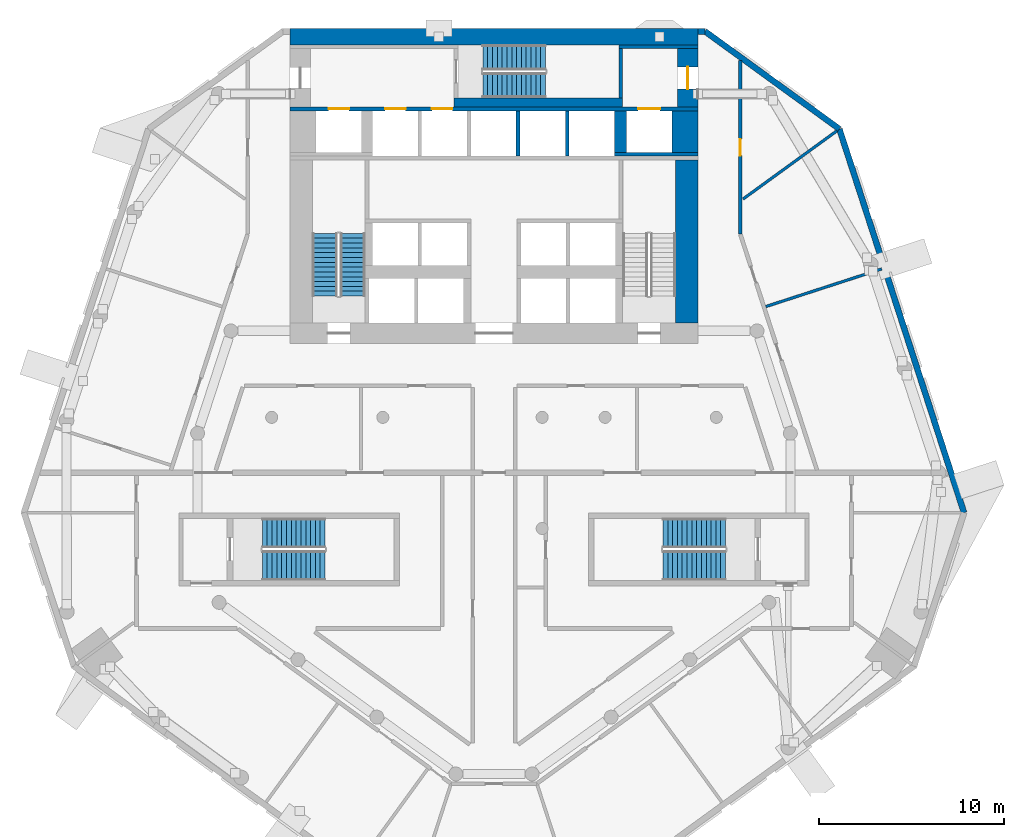
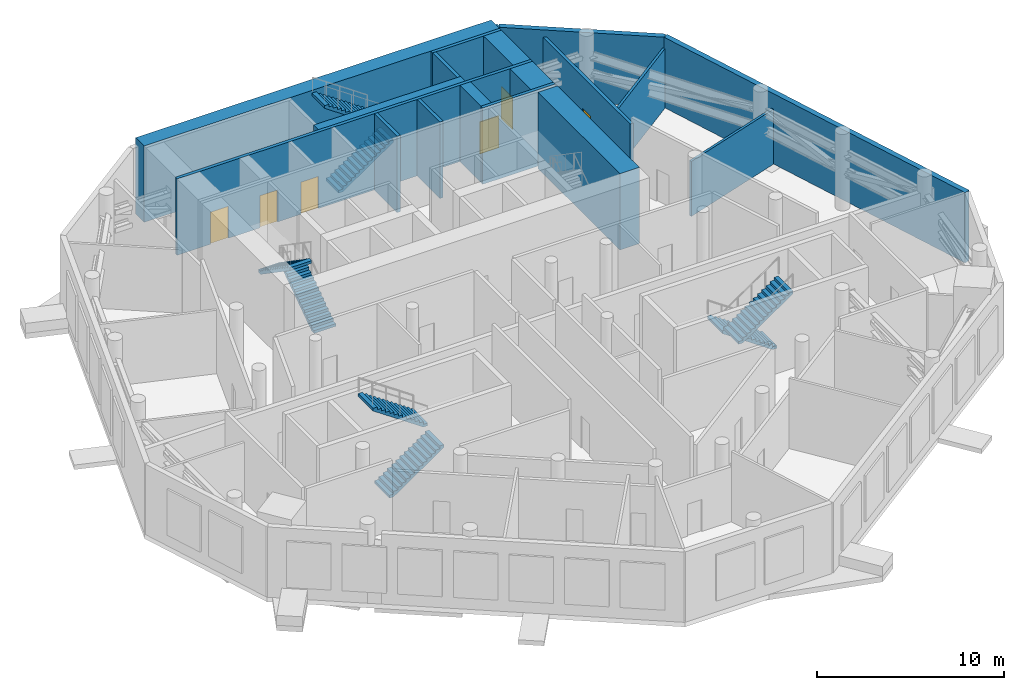
# One storey, part 9 of 15: 18 walls, 8 stair flights, 6 doors, 6 openings, 4 elements without a shape of their own.
"""IFC4 building model written with IfcOpenShell, lengths in metres."""

from ifc_helpers import new_model, si_unit, direction, frame, frame_2d, origin, place, context, subcontext, project, spatial, polyline, rectangle, outline, extrude, material, layer, layer_set, type_object, element, fill, aggregate, save


model = new_model("IFC4")

# Units and contexts
model_context = context("Model", 3, precision=1e-05, world=origin(), true_north=direction((0.0, 1.0)))
body_context = subcontext(model_context, "Body", "Model", "MODEL_VIEW")
ifc_project = project(units=[si_unit("LENGTHUNIT", "METRE"), si_unit("AREAUNIT", "SQUARE_METRE"), si_unit("VOLUMEUNIT", "CUBIC_METRE"), si_unit("PLANEANGLEUNIT", "RADIAN"), si_unit("MASSUNIT", "GRAM", prefix="KILO")], contexts=[model_context])

# Site, building, storey
site_placement = place(None, origin())
site = spatial("IfcSite", under=ifc_project, at=site_placement, CompositionType="ELEMENT")
building_placement = place(site_placement, origin())
building = spatial("IfcBuilding", under=site, at=building_placement, Name="White Candle Pilgrim Tower", CompositionType="ELEMENT")
storey_placement = place(building_placement, frame((0.0, 0.0, 137.60009765625)))
storey = spatial("IfcBuildingStorey", under=building, at=storey_placement, Name="L31", CompositionType="ELEMENT", Elevation=137.60009765625)

# Wall, opening, door
ifc_material_1 = material(Name="Concrete C60/75", Category="concrete")
ifc_layer_1 = layer(ifc_material_1, 1.10009765625)
ifc_layer_set_1 = layer_set([ifc_layer_1], Name="Core wall 1100 mm Concrete C60/75")
wall_type_1 = type_object("IfcWallType", Name="Core wall 1100 mm Concrete C60/75", PredefinedType="SHEAR", material=ifc_layer_set_1)
wall_1_placement = place(storey_placement, frame((80.449951171875, 83.75, 0.0), z_axis=(0.0, 0.0, 1.0), x_axis=(0.0, 1.0, 0.0)))
wall_1 = element("IfcWall", 1, at=wall_1_placement, inside=storey, type_object=wall_type_1, Name="WL-L31-C46", PredefinedType="SHEAR", context=body_context, shape_type="SweptSolid", body=[
    extrude(rectangle(XDim=3.14990234375, YDim=1.10009765625, at=frame_2d((1.574951171875, 0.0))), origin(), (0.0, 0.0, 1.0), 5.0),
])
opening_1_placement = place(wall_1_placement, frame((0.97509765625, 0.0, 0.0)))
opening_1 = element("IfcOpeningElement", 2, at=opening_1_placement, cuts=wall_1, Name="Opening L31-006", PredefinedType="OPENING", context=body_context, shape_type="SweptSolid", body=[
    extrude(rectangle(XDim=1.199951171875, YDim=2.10009765625, at=frame_2d((0.60009765625, 1.050048828125))), frame((0.0, 0.56005859375, 0.0), z_axis=(0.0, -1.0, 0.0), x_axis=(1.0, 0.0, 0.0)), (0.0, 0.0, 1.0), 1.1201171875),
])
ifc_material_2 = material(Name="Steel door leaf", Category="steel")
door_type_1 = type_object("IfcDoorType", Name="Fire door 1200 x 2100 EI 30", OperationType="NOTDEFINED", PredefinedType="DOOR", material=ifc_material_2)
door_1_placement = place(opening_1_placement, origin())
door_1 = element("IfcDoor", 3, at=door_1_placement, inside=storey, type_object=door_type_1, Name="Door L31-006", OperationType="SINGLE_SWING_RIGHT", OverallHeight=2.10009765625, OverallWidth=1.199951171875, PredefinedType="DOOR", context=body_context, shape_type="SweptSolid", body=[
    extrude(rectangle(XDim=1.199951171875, YDim=2.10009765625, at=frame_2d((0.60009765625, 1.050048828125))), frame((0.0, 0.02490234375, 0.0), z_axis=(0.0, -1.0, 0.0), x_axis=(1.0, 0.0, 0.0)), (0.0, 0.0, 1.0), 0.050048828125),
])
fill(opening_1, door_1)

# Walls
ifc_layer_2 = layer(ifc_material_1, 1.39990234375)
ifc_layer_set_2 = layer_set([ifc_layer_2], Name="Core wall 1400 mm Concrete C60/75")
wall_type_2 = type_object("IfcWallType", Name="Core wall 1400 mm Concrete C60/75", PredefinedType="SHEAR", material=ifc_layer_set_2)
wall_2_placement = place(storey_placement, frame((80.300048828125, 81.300048828125, 0.0), z_axis=(0.0, 0.0, 1.0), x_axis=(0.0, 1.0, 0.0)))
element("IfcWall", 4, at=wall_2_placement, inside=storey, type_object=wall_type_2, Name="WL-L31-C42", PredefinedType="SHEAR", context=body_context, shape_type="SweptSolid", body=[
    extrude(rectangle(XDim=2.25, YDim=1.39990234375, at=frame_2d((1.125, 0.0))), origin(), (0.0, 0.0, 1.0), 5.0),
])
ifc_layer_3 = layer(ifc_material_1, 0.199951171875)
ifc_layer_set_3 = layer_set([ifc_layer_3], Name="Core wall 200 mm Concrete C60/75")
wall_type_3 = type_object("IfcWallType", Name="Core wall 200 mm Concrete C60/75", PredefinedType="SHEAR", material=ifc_layer_set_3)
wall_3_placement = place(storey_placement, frame((76.5, 81.199951171875, 0.0), z_axis=(0.0, 0.0, 1.0), x_axis=(1.0, 0.0, 0.0)))
element("IfcWall", 5, at=wall_3_placement, inside=storey, type_object=wall_type_3, Name="WL-L31-C38", PredefinedType="SHEAR", context=body_context, shape_type="SweptSolid", body=[
    extrude(rectangle(XDim=4.5, YDim=0.199951171875, at=frame_2d((2.25, 0.0))), origin(), (0.0, 0.0, 1.0), 5.0),
])

# Wall, openings, doors
wall_4_placement = place(storey_placement, frame((59.0, 83.64990234375, 0.0), z_axis=(0.0, 0.0, 1.0), x_axis=(1.0, 0.0, 0.0)))
wall_4 = element("IfcWall", 6, at=wall_4_placement, inside=storey, type_object=wall_type_3, Name="WL-L31-C43", PredefinedType="SHEAR", context=body_context, shape_type="SweptSolid", body=[
    extrude(rectangle(XDim=22.0, YDim=0.199951171875, at=frame_2d((11.0, 0.0))), origin(), (0.0, 0.0, 1.0), 5.0),
])
opening_2_placement = place(wall_4_placement, frame((5.125, 0.0, 0.0)))
opening_2 = element("IfcOpeningElement", 7, at=opening_2_placement, cuts=wall_4, Name="Opening L31-011", PredefinedType="OPENING", context=body_context, shape_type="SweptSolid", body=[
    extrude(rectangle(XDim=1.10009765625, YDim=2.10009765625, at=frame_2d((0.550048828125, 1.050048828125))), frame((0.0, 0.10986328125, 0.0), z_axis=(0.0, -1.0, 0.0), x_axis=(1.0, 0.0, 0.0)), (0.0, 0.0, 1.0), 0.219970703125),
])
opening_3_placement = place(wall_4_placement, frame((7.64990234375, 0.0, 0.0)))
opening_3 = element("IfcOpeningElement", 8, at=opening_3_placement, cuts=wall_4, Name="Opening L31-012", PredefinedType="OPENING", context=body_context, shape_type="SweptSolid", body=[
    extrude(rectangle(XDim=1.10009765625, YDim=2.10009765625, at=frame_2d((0.550048828125, 1.050048828125))), frame((0.0, 0.10986328125, 0.0), z_axis=(0.0, -1.0, 0.0), x_axis=(1.0, 0.0, 0.0)), (0.0, 0.0, 1.0), 0.219970703125),
])
opening_4_placement = place(wall_4_placement, frame((18.77490234375, 0.0, 0.0)))
opening_4 = element("IfcOpeningElement", 9, at=opening_4_placement, cuts=wall_4, Name="Opening L31-013", PredefinedType="OPENING", context=body_context, shape_type="SweptSolid", body=[
    extrude(rectangle(XDim=1.199951171875, YDim=2.10009765625, at=frame_2d((0.60009765625, 1.050048828125))), frame((0.0, 0.10986328125, 0.0), z_axis=(0.0, -1.0, 0.0), x_axis=(1.0, 0.0, 0.0)), (0.0, 0.0, 1.0), 0.219970703125),
])
opening_5_placement = place(wall_4_placement, frame((2.074951171875, 0.0, 0.0)))
opening_5 = element("IfcOpeningElement", 10, at=opening_5_placement, cuts=wall_4, Name="Opening L31-014", PredefinedType="OPENING", context=body_context, shape_type="SweptSolid", body=[
    extrude(rectangle(XDim=1.10009765625, YDim=2.10009765625, at=frame_2d((0.550048828125, 1.050048828125))), frame((0.0, 0.10986328125, 0.0), z_axis=(0.0, -1.0, 0.0), x_axis=(1.0, 0.0, 0.0)), (0.0, 0.0, 1.0), 0.219970703125),
])
ifc_material_3 = material(Name="Stainless steel", Category="steel")
door_type_2 = type_object("IfcDoorType", Name="Lift landing door 1100 x 2100 EI 60", OperationType="DOUBLE_DOOR_SLIDING", PredefinedType="DOOR", material=ifc_material_3)
door_2_placement = place(opening_2_placement, origin())
door_2 = element("IfcDoor", 11, at=door_2_placement, inside=storey, type_object=door_type_2, Name="Door L31-011", OperationType="DOUBLE_DOOR_SLIDING", OverallHeight=2.10009765625, OverallWidth=1.10009765625, PredefinedType="DOOR", context=body_context, shape_type="SweptSolid", body=[
    extrude(rectangle(XDim=1.10009765625, YDim=2.10009765625, at=frame_2d((0.550048828125, 1.050048828125))), frame((0.0, 0.02490234375, 0.0), z_axis=(0.0, -1.0, 0.0), x_axis=(1.0, 0.0, 0.0)), (0.0, 0.0, 1.0), 0.050048828125),
])
fill(opening_2, door_2)
door_3_placement = place(opening_3_placement, origin())
door_3 = element("IfcDoor", 12, at=door_3_placement, inside=storey, type_object=door_type_2, Name="Door L31-012", OperationType="DOUBLE_DOOR_SLIDING", OverallHeight=2.10009765625, OverallWidth=1.10009765625, PredefinedType="DOOR", context=body_context, shape_type="SweptSolid", body=[
    extrude(rectangle(XDim=1.10009765625, YDim=2.10009765625, at=frame_2d((0.550048828125, 1.050048828125))), frame((0.0, 0.02490234375, 0.0), z_axis=(0.0, -1.0, 0.0), x_axis=(1.0, 0.0, 0.0)), (0.0, 0.0, 1.0), 0.050048828125),
])
fill(opening_3, door_3)
door_4_placement = place(opening_5_placement, origin())
door_4 = element("IfcDoor", 13, at=door_4_placement, inside=storey, type_object=door_type_2, Name="Door L31-014", OperationType="DOUBLE_DOOR_SLIDING", OverallHeight=2.10009765625, OverallWidth=1.10009765625, PredefinedType="DOOR", context=body_context, shape_type="SweptSolid", body=[
    extrude(rectangle(XDim=1.10009765625, YDim=2.10009765625, at=frame_2d((0.550048828125, 1.050048828125))), frame((0.0, 0.02490234375, 0.0), z_axis=(0.0, -1.0, 0.0), x_axis=(1.0, 0.0, 0.0)), (0.0, 0.0, 1.0), 0.050048828125),
])
fill(opening_5, door_4)
door_type_3 = type_object("IfcDoorType", Name="Lift landing door 1200 x 2100 E 60", OperationType="DOUBLE_DOOR_SLIDING", PredefinedType="DOOR", material=ifc_material_3)
door_5_placement = place(opening_4_placement, origin())
door_5 = element("IfcDoor", 14, at=door_5_placement, inside=storey, type_object=door_type_3, Name="Door L31-013", OperationType="DOUBLE_DOOR_SLIDING", OverallHeight=2.10009765625, OverallWidth=1.199951171875, PredefinedType="DOOR", context=body_context, shape_type="SweptSolid", body=[
    extrude(rectangle(XDim=1.199951171875, YDim=2.10009765625, at=frame_2d((0.60009765625, 1.050048828125))), frame((0.0, 0.02490234375, 0.0), z_axis=(0.0, -1.0, 0.0), x_axis=(1.0, 0.0, 0.0)), (0.0, 0.0, 1.0), 0.050048828125),
])
fill(opening_4, door_5)

# Wall, opening, door
ifc_material_4 = material(Name="Gypsum board on steel studs", Category="steel")
ifc_layer_4 = layer(ifc_material_4, 0.199951171875)
ifc_layer_set_4 = layer_set([ifc_layer_4], Name="Corridor wall 200 mm EI 45")
wall_type_4 = type_object("IfcWallType", Name="Corridor wall 200 mm EI 45", PredefinedType="PARTITIONING", material=ifc_layer_set_4)
wall_5_placement = place(storey_placement, frame((83.300048828125, 86.2509765625, 0.0), z_axis=(0.0, 0.0, 1.0), x_axis=(0.0, -1.0, 0.0)))
wall_5 = element("IfcWall", 15, at=wall_5_placement, inside=storey, type_object=wall_type_4, Name="WL-L31-P004", PredefinedType="PARTITIONING", context=body_context, shape_type="SweptSolid", body=[
    extrude(rectangle(XDim=9.3515625, YDim=0.199951171875, at=frame_2d((4.67578125, 0.0))), origin(), (0.0, 0.0, 1.0), 4.14990234375),
])
opening_6_placement = place(wall_5_placement, frame((4.225830078125, 0.0, 0.0)))
opening_6 = element("IfcOpeningElement", 16, at=opening_6_placement, cuts=wall_5, Name="Opening L31-124", PredefinedType="OPENING", context=body_context, shape_type="SweptSolid", body=[
    extrude(rectangle(XDim=0.89990234375, YDim=2.10009765625, at=frame_2d((0.449951171875, 1.050048828125))), frame((0.0, 0.10986328125, 0.0), z_axis=(0.0, -1.0, 0.0), x_axis=(1.0, 0.0, 0.0)), (0.0, 0.0, 1.0), 0.219970703125),
])
door_type_4 = type_object("IfcDoorType", Name="Fire door 900 x 2100 EI 30", OperationType="NOTDEFINED", PredefinedType="DOOR", material=ifc_material_2)
door_6_placement = place(opening_6_placement, origin())
door_6 = element("IfcDoor", 17, at=door_6_placement, inside=storey, type_object=door_type_4, Name="Door L31-124", OperationType="SINGLE_SWING_RIGHT", OverallHeight=2.10009765625, OverallWidth=0.89990234375, PredefinedType="DOOR", context=body_context, shape_type="SweptSolid", body=[
    extrude(rectangle(XDim=0.89990234375, YDim=2.10009765625, at=frame_2d((0.449951171875, 1.050048828125))), frame((0.0, 0.02490234375, 0.0), z_axis=(0.0, -1.0, 0.0), x_axis=(1.0, 0.0, 0.0)), (0.0, 0.0, 1.0), 0.050048828125),
])
fill(opening_6, door_6)

# Walls
ifc_material_5 = material(Name="Precast concrete C40/50", Category="concrete")
ifc_layer_5 = layer(ifc_material_5, 0.320068359375)
ifc_layer_set_5 = layer_set([ifc_layer_5], Name="Facade wall EW2 precast concrete C40/50 plant wall behind louvres")
wall_type_5 = type_object("IfcWallType", Name="Facade wall EW2 precast concrete C40/50 plant wall behind louvres", PredefinedType="SOLIDWALL", material=ifc_layer_set_5)
wall_6_placement = place(storey_placement, frame((95.375, 61.855224609375, 0.0), z_axis=(0.0, 0.0, 1.0), x_axis=(-0.309023959084, 0.951054253296, 0.0)))
element("IfcWall", 18, at=wall_6_placement, inside=storey, type_object=wall_type_5, Name="Facade wall L31 ENE", PredefinedType="SOLIDWALL", context=body_context, shape_type="SweptSolid", body=[
    extrude(rectangle(XDim=21.77490234375, YDim=0.320068359375, at=frame_2d((10.887451171875, 0.0))), origin(), (0.0, 0.0, 1.0), 4.599853515625),
])
wall_7_placement = place(storey_placement, frame((88.64599609375, 82.564453125, 0.0), z_axis=(0.0, 0.0, 1.0), x_axis=(-0.809005369707, 0.587801251942, 0.0)))
element("IfcWall", 19, at=wall_7_placement, inside=storey, type_object=wall_type_5, Name="Facade wall L31 NE chamfer", PredefinedType="SOLIDWALL", context=body_context, shape_type="SweptSolid", body=[
    extrude(rectangle(XDim=8.97509765625, YDim=0.320068359375, at=frame_2d((4.487548828125, 0.0))), origin(), (0.0, 0.0, 1.0), 4.599853515625),
])
wall_8_placement = place(storey_placement, frame((81.385009765625, 87.840087890625, 0.0), z_axis=(0.0, 0.0, 1.0), x_axis=(-1.0, 0.0, 0.0)))
element("IfcWall", 20, at=wall_8_placement, inside=storey, type_object=wall_type_5, Name="Facade wall L31 N", PredefinedType="SOLIDWALL", context=body_context, shape_type="SweptSolid", body=[
    extrude(rectangle(XDim=0.385009765625, YDim=0.320068359375, at=frame_2d((0.1923828125, 0.0))), origin(), (0.0, 0.0, 1.0), 4.599853515625),
])
ifc_layer_6 = layer(ifc_material_4, 0.14990234375)
ifc_layer_set_6 = layer_set([ifc_layer_6], Name="Partition 150 mm EI 60")
wall_type_6 = type_object("IfcWallType", Name="Partition 150 mm EI 60", PredefinedType="PARTITIONING", material=ifc_layer_set_6)
wall_9_placement = place(storey_placement, frame((88.510009765625, 82.465576171875, 0.0), z_axis=(0.0, 0.0, 1.0), x_axis=(-0.809012497549, -0.587791441593, 0.0)))
element("IfcWall", 21, at=wall_9_placement, inside=storey, type_object=wall_type_6, Name="WL-L31-P034", PredefinedType="PARTITIONING", context=body_context, shape_type="SweptSolid", body=[
    extrude(rectangle(XDim=6.261962890625, YDim=0.14990234375, at=frame_2d((3.130859375, 0.0))), origin(), (0.0, 0.0, 1.0), 3.89990234375),
])
wall_10_placement = place(storey_placement, frame((90.931396484375, 75.013671875, 0.0), z_axis=(0.0, 0.0, 1.0), x_axis=(-0.95105288048, -0.309028184041, 0.0)))
element("IfcWall", 22, at=wall_10_placement, inside=storey, type_object=wall_type_6, Name="WL-L31-P041", PredefinedType="PARTITIONING", context=body_context, shape_type="SweptSolid", body=[
    extrude(rectangle(XDim=6.580078125, YDim=0.14990234375, at=frame_2d((3.2900390625, 0.0))), origin(), (0.0, 0.0, 1.0), 3.599853515625),
])
ifc_layer_7 = layer(ifc_material_1, 0.199951171875)
ifc_layer_set_7 = layer_set([ifc_layer_7], Name="Shaft wall 200 mm Concrete C60/75")
wall_type_7 = type_object("IfcWallType", Name="Shaft wall 200 mm Concrete C60/75", PredefinedType="SHEAR", material=ifc_layer_set_7)
for number, where, z_axis, x_axis, name in (
    (23, (71.300048828125, 81.10009765625, 0.0), (0.0, 0.0, 1.0), (0.0, 1.0, 0.0), "WL-L31-C36"),
    (24, (73.949951171875, 81.10009765625, 0.0), (0.0, 0.0, 1.0), (0.0, 1.0, 0.0), "WL-L31-C37"),
):
    element("IfcWall", number, at=place(storey_placement, frame(where, z_axis=z_axis, x_axis=x_axis)), inside=storey, type_object=wall_type_7, Name=name, PredefinedType="SHEAR", context=body_context, shape_type="SweptSolid", body=[
        extrude(rectangle(XDim=2.449951171875, YDim=0.199951171875, at=frame_2d((1.22509765625, 0.0))), origin(), (0.0, 0.0, 1.0), 5.0),
    ])
ifc_layer_8 = layer(ifc_material_1, 0.64990234375)
ifc_layer_set_8 = layer_set([ifc_layer_8], Name="Shaft wall 650 mm Concrete C60/75")
wall_type_8 = type_object("IfcWallType", Name="Shaft wall 650 mm Concrete C60/75", PredefinedType="SHEAR", material=ifc_layer_set_8)
wall_11_placement = place(storey_placement, frame((76.824951171875, 81.300048828125, 0.0), z_axis=(0.0, 0.0, 1.0), x_axis=(0.0, 1.0, 0.0)))
element("IfcWall", 25, at=wall_11_placement, inside=storey, type_object=wall_type_8, Name="WL-L31-C41", PredefinedType="SHEAR", context=body_context, shape_type="SweptSolid", body=[
    extrude(rectangle(XDim=2.25, YDim=0.64990234375, at=frame_2d((1.125, 0.0))), origin(), (0.0, 0.0, 1.0), 5.0),
])
ifc_layer_9 = layer(ifc_material_1, 1.199951171875)
ifc_layer_set_9 = layer_set([ifc_layer_9], Name="Stair shaft wall 1200 mm Concrete C60/75")
wall_type_9 = type_object("IfcWallType", Name="Stair shaft wall 1200 mm Concrete C60/75", PredefinedType="SHEAR", material=ifc_layer_set_9)
wall_12_placement = place(storey_placement, frame((80.39990234375, 72.10009765625, 0.0), z_axis=(0.0, 0.0, 1.0), x_axis=(0.0, 1.0, 0.0)))
element("IfcWall", 26, at=wall_12_placement, inside=storey, type_object=wall_type_9, Name="WL-L31-C19", PredefinedType="SHEAR", context=body_context, shape_type="SweptSolid", body=[
    extrude(rectangle(XDim=8.7998046875, YDim=1.199951171875, at=frame_2d((4.39990234375, 0.0))), origin(), (0.0, 0.0, 1.0), 5.0),
])
ifc_layer_10 = layer(ifc_material_1, 0.199951171875)
ifc_layer_set_10 = layer_set([ifc_layer_10], Name="Stair shaft wall 200 mm Concrete C60/75")
wall_type_10 = type_object("IfcWallType", Name="Stair shaft wall 200 mm Concrete C60/75", PredefinedType="SHEAR", material=ifc_layer_set_10)
wall_13_placement = place(storey_placement, frame((76.85009765625, 84.25, 0.0), z_axis=(0.0, 0.0, 1.0), x_axis=(0.0, 1.0, 0.0)))
element("IfcWall", 27, at=wall_13_placement, inside=storey, type_object=wall_type_10, Name="WL-L31-C48", PredefinedType="SHEAR", context=body_context, shape_type="SweptSolid", body=[
    extrude(rectangle(XDim=2.64990234375, YDim=0.199951171875, at=frame_2d((1.324951171875, 0.0))), origin(), (0.0, 0.0, 1.0), 5.0),
])
wall_14_placement = place(storey_placement, frame((76.75, 87.0, 0.0), z_axis=(0.0, 0.0, 1.0), x_axis=(1.0, 0.0, 0.0)))
element("IfcWall", 28, at=wall_14_placement, inside=storey, type_object=wall_type_10, Name="WL-L31-C50", PredefinedType="SHEAR", context=body_context, shape_type="SweptSolid", body=[
    extrude(rectangle(XDim=4.25, YDim=0.199951171875, at=frame_2d((2.125, 0.0))), origin(), (0.0, 0.0, 1.0), 5.0),
])
ifc_layer_11 = layer(ifc_material_1, 0.5)
ifc_layer_set_11 = layer_set([ifc_layer_11], Name="Stair shaft wall 500 mm Concrete C60/75")
wall_type_11 = type_object("IfcWallType", Name="Stair shaft wall 500 mm Concrete C60/75", PredefinedType="SHEAR", material=ifc_layer_set_11)
wall_15_placement = place(storey_placement, frame((67.85009765625, 84.0, 0.0), z_axis=(0.0, 0.0, 1.0), x_axis=(1.0, 0.0, 0.0)))
element("IfcWall", 29, at=wall_15_placement, inside=storey, type_object=wall_type_11, Name="WL-L31-C45", PredefinedType="SHEAR", context=body_context, shape_type="SweptSolid", body=[
    extrude(rectangle(XDim=9.099853515625, YDim=0.5, at=frame_2d((4.5498046875, 0.0))), origin(), (0.0, 0.0, 1.0), 5.0),
])
ifc_layer_12 = layer(ifc_material_1, 0.89990234375)
ifc_layer_set_12 = layer_set([ifc_layer_12], Name="Stair shaft wall 900 mm Concrete C60/75")
wall_type_12 = type_object("IfcWallType", Name="Stair shaft wall 900 mm Concrete C60/75", PredefinedType="SHEAR", material=ifc_layer_set_12)
wall_16_placement = place(storey_placement, frame((59.0, 87.550048828125, 0.0), z_axis=(0.0, 0.0, 1.0), x_axis=(1.0, 0.0, 0.0)))
element("IfcWall", 30, at=wall_16_placement, inside=storey, type_object=wall_type_12, Name="WL-L31-C51", PredefinedType="SHEAR", context=body_context, shape_type="SweptSolid", body=[
    extrude(rectangle(XDim=22.0, YDim=0.89990234375, at=frame_2d((11.0, 0.0))), origin(), (0.0, 0.0, 1.0), 5.0),
])

# Stair, stair flights
ifc_material_6 = material(Name="Concrete C40/50", Category="concrete")
stair_type_1 = type_object("IfcStairType", Name="Exit stair 1 flight width 1350 mm", PredefinedType="HALF_TURN_STAIR", material=ifc_material_6)
stair_1_placement = place(storey_placement, origin())
stair_1 = element("IfcStair", 31, at=stair_1_placement, inside=storey, type_object=stair_type_1, Name="L31 stair 1", PredefinedType="NOTDEFINED")
ifc_layer_13 = layer(ifc_material_6, 0.14990234375)
ifc_layer_set_13 = layer_set([ifc_layer_13], Name="Stair flight Concrete C40/50")
stair_flight_type = type_object("IfcStairFlightType", Name="Stair flight Concrete C40/50", PredefinedType="STRAIGHT", material=ifc_layer_set_13)
stair_flight_1_placement = place(storey_placement, frame((62.375, 73.550048828125, 0.0), z_axis=(0.0, 0.0, 1.0), x_axis=(0.0, 1.0, 0.0)))
stair_flight_1 = element("IfcStairFlight", 32, at=stair_flight_1_placement, type_object=stair_flight_type, Name="ST1 flight 1", NumberOfRisers=14, NumberOfTreads=13, PredefinedType="NOTDEFINED", RiserHeight=0.178571429, TreadLength=0.26, context=body_context, shape_type="SweptSolid", body=[
    extrude(outline(polyline([(0.0, 0.0), (0.0, 0.178466796875), (0.260009765625, 0.178466796875), (0.260009765625, 0.357177734375), (0.52001953125, 0.357177734375), (0.52001953125, 0.53564453125), (0.780029296875, 0.53564453125), (0.780029296875, 0.71435546875), (1.0400390625, 0.71435546875), (1.0400390625, 0.892822265625), (1.300048828125, 0.892822265625), (1.300048828125, 1.071533203125), (1.56005859375, 1.071533203125), (1.56005859375, 1.25), (1.820068359375, 1.25), (1.820068359375, 1.428466796875), (2.080078125, 1.428466796875), (2.080078125, 1.607177734375), (2.340087890625, 1.607177734375), (2.340087890625, 1.78564453125), (2.60009765625, 1.78564453125), (2.60009765625, 1.96435546875), (2.860107421875, 1.96435546875), (2.860107421875, 2.142822265625), (3.1201171875, 2.142822265625), (3.1201171875, 2.321533203125), (3.3798828125, 2.321533203125), (3.3798828125, 2.5), (3.3798828125, 2.1396484375), (0.264892578125, 0.0), (0.0, 0.0)])), frame((0.0, 0.675048828125, 0.0), z_axis=(0.0, -1.0, 0.0), x_axis=(1.0, 0.0, 0.0)), (0.0, 0.0, 1.0), 1.35009765625),
])
stair_flight_2_placement = place(storey_placement, frame((60.875, 76.929931640625, 2.5), z_axis=(0.0, 0.0, 1.0), x_axis=(0.0, -1.0, 0.0)))
stair_flight_2 = element("IfcStairFlight", 33, at=stair_flight_2_placement, type_object=stair_flight_type, Name="ST1 flight 2", NumberOfRisers=14, NumberOfTreads=13, PredefinedType="NOTDEFINED", RiserHeight=0.178571429, TreadLength=0.26, context=body_context, shape_type="SweptSolid", body=[
    extrude(outline(polyline([(0.0, 0.0), (0.0, 0.178466796875), (0.260009765625, 0.178466796875), (0.260009765625, 0.357177734375), (0.52001953125, 0.357177734375), (0.52001953125, 0.53564453125), (0.780029296875, 0.53564453125), (0.780029296875, 0.71435546875), (1.0400390625, 0.71435546875), (1.0400390625, 0.892822265625), (1.300048828125, 0.892822265625), (1.300048828125, 1.071533203125), (1.56005859375, 1.071533203125), (1.56005859375, 1.25), (1.820068359375, 1.25), (1.820068359375, 1.428466796875), (2.080078125, 1.428466796875), (2.080078125, 1.607177734375), (2.340087890625, 1.607177734375), (2.340087890625, 1.78564453125), (2.60009765625, 1.78564453125), (2.60009765625, 1.96435546875), (2.860107421875, 1.96435546875), (2.860107421875, 2.142822265625), (3.1201171875, 2.142822265625), (3.1201171875, 2.321533203125), (3.3798828125, 2.321533203125), (3.3798828125, 2.5), (3.3798828125, 2.1396484375), (0.264892578125, 0.0), (0.0, 0.0)])), frame((0.0, 0.675048828125, 0.0), z_axis=(0.0, -1.0, 0.0), x_axis=(1.0, 0.0, 0.0)), (0.0, 0.0, 1.0), 1.35009765625),
])
aggregate(stair_1, [stair_flight_1, stair_flight_2])

stair_type_2 = type_object("IfcStairType", Name="Exit stair 3 flight width 1350 mm", PredefinedType="HALF_TURN_STAIR", material=ifc_material_6)
stair_2_placement = place(storey_placement, origin())
stair_2 = element("IfcStair", 34, at=stair_2_placement, inside=storey, type_object=stair_type_2, Name="L31 stair 3", PredefinedType="NOTDEFINED")
stair_flight_3_placement = place(storey_placement, frame((69.39990234375, 84.925048828125, 0.0), z_axis=(0.0, 0.0, 1.0), x_axis=(1.0, 0.0, 0.0)))
stair_flight_3 = element("IfcStairFlight", 35, at=stair_flight_3_placement, type_object=stair_flight_type, Name="ST3 flight 1", NumberOfRisers=14, NumberOfTreads=13, PredefinedType="NOTDEFINED", RiserHeight=0.178571429, TreadLength=0.26, context=body_context, shape_type="SweptSolid", body=[
    extrude(outline(polyline([(0.0, 0.0), (0.0, 0.178466796875), (0.260009765625, 0.178466796875), (0.260009765625, 0.357177734375), (0.52001953125, 0.357177734375), (0.52001953125, 0.53564453125), (0.780029296875, 0.53564453125), (0.780029296875, 0.71435546875), (1.0400390625, 0.71435546875), (1.0400390625, 0.892822265625), (1.300048828125, 0.892822265625), (1.300048828125, 1.071533203125), (1.56005859375, 1.071533203125), (1.56005859375, 1.25), (1.820068359375, 1.25), (1.820068359375, 1.428466796875), (2.080078125, 1.428466796875), (2.080078125, 1.607177734375), (2.340087890625, 1.607177734375), (2.340087890625, 1.78564453125), (2.60009765625, 1.78564453125), (2.60009765625, 1.96435546875), (2.860107421875, 1.96435546875), (2.860107421875, 2.142822265625), (3.1201171875, 2.142822265625), (3.1201171875, 2.321533203125), (3.3798828125, 2.321533203125), (3.3798828125, 2.5), (3.3798828125, 2.1396484375), (0.264892578125, 0.0), (0.0, 0.0)])), frame((0.0, 0.675048828125, 0.0), z_axis=(0.0, -1.0, 0.0), x_axis=(1.0, 0.0, 0.0)), (0.0, 0.0, 1.0), 1.35009765625),
])
stair_flight_4_placement = place(storey_placement, frame((72.780029296875, 86.425048828125, 2.5), z_axis=(0.0, 0.0, 1.0), x_axis=(-1.0, 0.0, 0.0)))
stair_flight_4 = element("IfcStairFlight", 36, at=stair_flight_4_placement, type_object=stair_flight_type, Name="ST3 flight 2", NumberOfRisers=14, NumberOfTreads=13, PredefinedType="NOTDEFINED", RiserHeight=0.178571429, TreadLength=0.26, context=body_context, shape_type="SweptSolid", body=[
    extrude(outline(polyline([(0.0, 0.0), (0.0, 0.178466796875), (0.260009765625, 0.178466796875), (0.260009765625, 0.357177734375), (0.52001953125, 0.357177734375), (0.52001953125, 0.53564453125), (0.780029296875, 0.53564453125), (0.780029296875, 0.71435546875), (1.0400390625, 0.71435546875), (1.0400390625, 0.892822265625), (1.300048828125, 0.892822265625), (1.300048828125, 1.071533203125), (1.56005859375, 1.071533203125), (1.56005859375, 1.25), (1.820068359375, 1.25), (1.820068359375, 1.428466796875), (2.080078125, 1.428466796875), (2.080078125, 1.607177734375), (2.340087890625, 1.607177734375), (2.340087890625, 1.78564453125), (2.60009765625, 1.78564453125), (2.60009765625, 1.96435546875), (2.860107421875, 1.96435546875), (2.860107421875, 2.142822265625), (3.1201171875, 2.142822265625), (3.1201171875, 2.321533203125), (3.3798828125, 2.321533203125), (3.3798828125, 2.5), (3.3798828125, 2.1396484375), (0.264892578125, 0.0), (0.0, 0.0)])), frame((0.0, 0.675048828125, 0.0), z_axis=(0.0, -1.0, 0.0), x_axis=(1.0, 0.0, 0.0)), (0.0, 0.0, 1.0), 1.35009765625),
])
aggregate(stair_2, [stair_flight_3, stair_flight_4])

stair_type_3 = type_object("IfcStairType", Name="Exit stair 4 flight width 1600 mm", PredefinedType="HALF_TURN_STAIR", material=ifc_material_6)
stair_3_placement = place(storey_placement, origin())
stair_3 = element("IfcStair", 37, at=stair_3_placement, inside=storey, type_object=stair_type_3, Name="L31 stair 4", PredefinedType="NOTDEFINED")
stair_flight_5_placement = place(storey_placement, frame((82.5, 60.75, 0.0), z_axis=(0.0, 0.0, 1.0), x_axis=(-1.0, 0.0, 0.0)))
stair_flight_5 = element("IfcStairFlight", 38, at=stair_flight_5_placement, type_object=stair_flight_type, Name="ST4 flight 1", NumberOfRisers=14, NumberOfTreads=13, PredefinedType="NOTDEFINED", RiserHeight=0.178571429, TreadLength=0.26, context=body_context, shape_type="SweptSolid", body=[
    extrude(outline(polyline([(0.0, 0.0), (0.0, 0.178466796875), (0.260009765625, 0.178466796875), (0.260009765625, 0.357177734375), (0.52001953125, 0.357177734375), (0.52001953125, 0.53564453125), (0.780029296875, 0.53564453125), (0.780029296875, 0.71435546875), (1.0400390625, 0.71435546875), (1.0400390625, 0.892822265625), (1.300048828125, 0.892822265625), (1.300048828125, 1.071533203125), (1.56005859375, 1.071533203125), (1.56005859375, 1.25), (1.820068359375, 1.25), (1.820068359375, 1.428466796875), (2.080078125, 1.428466796875), (2.080078125, 1.607177734375), (2.340087890625, 1.607177734375), (2.340087890625, 1.78564453125), (2.60009765625, 1.78564453125), (2.60009765625, 1.96435546875), (2.860107421875, 1.96435546875), (2.860107421875, 2.142822265625), (3.1201171875, 2.142822265625), (3.1201171875, 2.321533203125), (3.3798828125, 2.321533203125), (3.3798828125, 2.5), (3.3798828125, 2.1396484375), (0.264892578125, 0.0), (0.0, 0.0)])), frame((0.0, 0.800048828125, 0.0), z_axis=(0.0, -1.0, 0.0), x_axis=(1.0, 0.0, 0.0)), (0.0, 0.0, 1.0), 1.60009765625),
])
stair_flight_6_placement = place(storey_placement, frame((79.1201171875, 59.0, 2.5), z_axis=(0.0, 0.0, 1.0), x_axis=(1.0, 0.0, 0.0)))
stair_flight_6 = element("IfcStairFlight", 39, at=stair_flight_6_placement, type_object=stair_flight_type, Name="ST4 flight 2", NumberOfRisers=14, NumberOfTreads=13, PredefinedType="NOTDEFINED", RiserHeight=0.178571429, TreadLength=0.26, context=body_context, shape_type="SweptSolid", body=[
    extrude(outline(polyline([(0.0, 0.0), (0.0, 0.178466796875), (0.260009765625, 0.178466796875), (0.260009765625, 0.357177734375), (0.52001953125, 0.357177734375), (0.52001953125, 0.53564453125), (0.780029296875, 0.53564453125), (0.780029296875, 0.71435546875), (1.0400390625, 0.71435546875), (1.0400390625, 0.892822265625), (1.300048828125, 0.892822265625), (1.300048828125, 1.071533203125), (1.56005859375, 1.071533203125), (1.56005859375, 1.25), (1.820068359375, 1.25), (1.820068359375, 1.428466796875), (2.080078125, 1.428466796875), (2.080078125, 1.607177734375), (2.340087890625, 1.607177734375), (2.340087890625, 1.78564453125), (2.60009765625, 1.78564453125), (2.60009765625, 1.96435546875), (2.860107421875, 1.96435546875), (2.860107421875, 2.142822265625), (3.1201171875, 2.142822265625), (3.1201171875, 2.321533203125), (3.3798828125, 2.321533203125), (3.3798828125, 2.5), (3.3798828125, 2.1396484375), (0.264892578125, 0.0), (0.0, 0.0)])), frame((0.0, 0.800048828125, 0.0), z_axis=(0.0, -1.0, 0.0), x_axis=(1.0, 0.0, 0.0)), (0.0, 0.0, 1.0), 1.60009765625),
])
aggregate(stair_3, [stair_flight_5, stair_flight_6])

stair_type_4 = type_object("IfcStairType", Name="Exit stair 5 flight width 1600 mm", PredefinedType="HALF_TURN_STAIR", material=ifc_material_6)
stair_4_placement = place(storey_placement, origin())
stair_4 = element("IfcStair", 40, at=stair_4_placement, inside=storey, type_object=stair_type_4, Name="L31 stair 5", PredefinedType="NOTDEFINED")
stair_flight_7_placement = place(storey_placement, frame((57.5, 59.0, 0.0), z_axis=(0.0, 0.0, 1.0), x_axis=(1.0, 0.0, 0.0)))
stair_flight_7 = element("IfcStairFlight", 41, at=stair_flight_7_placement, type_object=stair_flight_type, Name="ST5 flight 1", NumberOfRisers=14, NumberOfTreads=13, PredefinedType="NOTDEFINED", RiserHeight=0.178571429, TreadLength=0.26, context=body_context, shape_type="SweptSolid", body=[
    extrude(outline(polyline([(0.0, 0.0), (0.0, 0.178466796875), (0.260009765625, 0.178466796875), (0.260009765625, 0.357177734375), (0.52001953125, 0.357177734375), (0.52001953125, 0.53564453125), (0.780029296875, 0.53564453125), (0.780029296875, 0.71435546875), (1.0400390625, 0.71435546875), (1.0400390625, 0.892822265625), (1.300048828125, 0.892822265625), (1.300048828125, 1.071533203125), (1.56005859375, 1.071533203125), (1.56005859375, 1.25), (1.820068359375, 1.25), (1.820068359375, 1.428466796875), (2.080078125, 1.428466796875), (2.080078125, 1.607177734375), (2.340087890625, 1.607177734375), (2.340087890625, 1.78564453125), (2.60009765625, 1.78564453125), (2.60009765625, 1.96435546875), (2.860107421875, 1.96435546875), (2.860107421875, 2.142822265625), (3.1201171875, 2.142822265625), (3.1201171875, 2.321533203125), (3.3798828125, 2.321533203125), (3.3798828125, 2.5), (3.3798828125, 2.1396484375), (0.264892578125, 0.0), (0.0, 0.0)])), frame((0.0, 0.800048828125, 0.0), z_axis=(0.0, -1.0, 0.0), x_axis=(1.0, 0.0, 0.0)), (0.0, 0.0, 1.0), 1.60009765625),
])
stair_flight_8_placement = place(storey_placement, frame((60.8798828125, 60.75, 2.5), z_axis=(0.0, 0.0, 1.0), x_axis=(-1.0, 0.0, 0.0)))
stair_flight_8 = element("IfcStairFlight", 42, at=stair_flight_8_placement, type_object=stair_flight_type, Name="ST5 flight 2", NumberOfRisers=14, NumberOfTreads=13, PredefinedType="NOTDEFINED", RiserHeight=0.178571429, TreadLength=0.26, context=body_context, shape_type="SweptSolid", body=[
    extrude(outline(polyline([(0.0, 0.0), (0.0, 0.178466796875), (0.260009765625, 0.178466796875), (0.260009765625, 0.357177734375), (0.52001953125, 0.357177734375), (0.52001953125, 0.53564453125), (0.780029296875, 0.53564453125), (0.780029296875, 0.71435546875), (1.0400390625, 0.71435546875), (1.0400390625, 0.892822265625), (1.300048828125, 0.892822265625), (1.300048828125, 1.071533203125), (1.56005859375, 1.071533203125), (1.56005859375, 1.25), (1.820068359375, 1.25), (1.820068359375, 1.428466796875), (2.080078125, 1.428466796875), (2.080078125, 1.607177734375), (2.340087890625, 1.607177734375), (2.340087890625, 1.78564453125), (2.60009765625, 1.78564453125), (2.60009765625, 1.96435546875), (2.860107421875, 1.96435546875), (2.860107421875, 2.142822265625), (3.1201171875, 2.142822265625), (3.1201171875, 2.321533203125), (3.3798828125, 2.321533203125), (3.3798828125, 2.5), (3.3798828125, 2.1396484375), (0.264892578125, 0.0), (0.0, 0.0)])), frame((0.0, 0.800048828125, 0.0), z_axis=(0.0, -1.0, 0.0), x_axis=(1.0, 0.0, 0.0)), (0.0, 0.0, 1.0), 1.60009765625),
])
aggregate(stair_4, [stair_flight_7, stair_flight_8])

save(model, "model.ifc")
